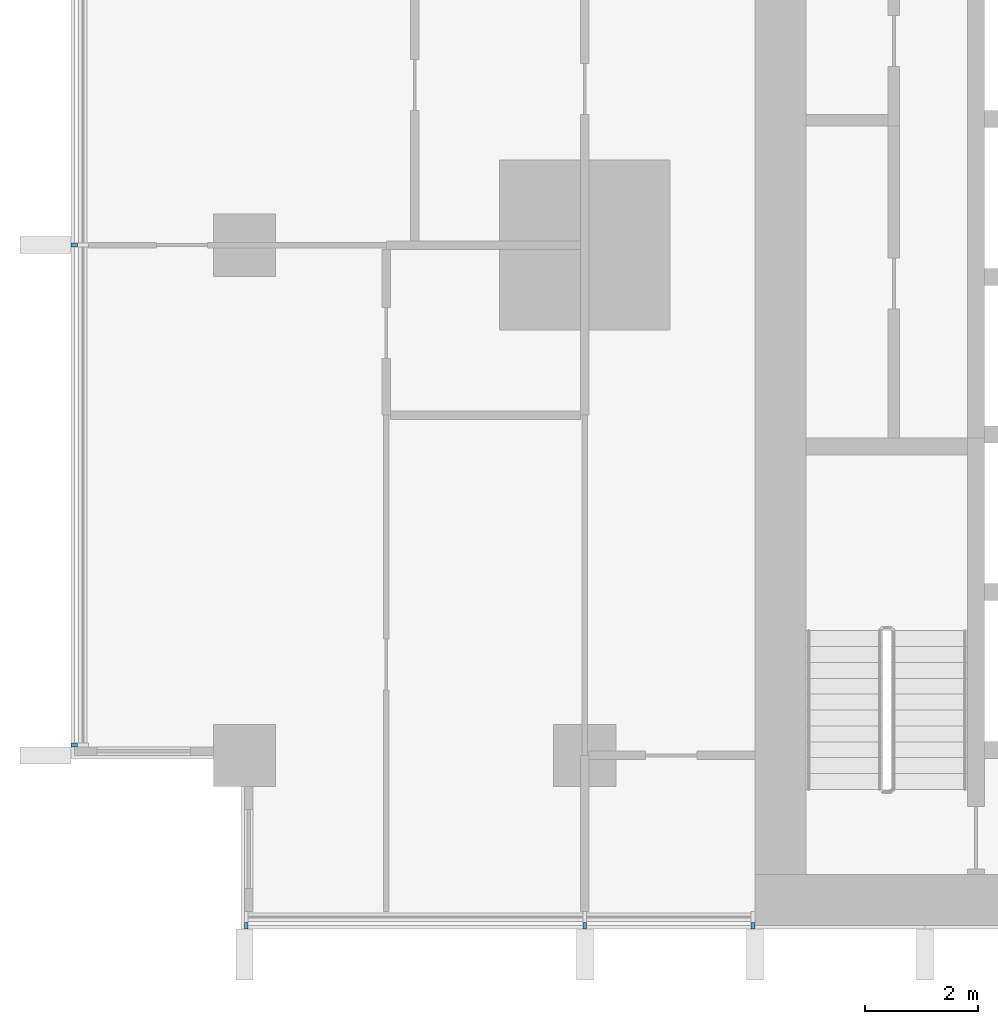
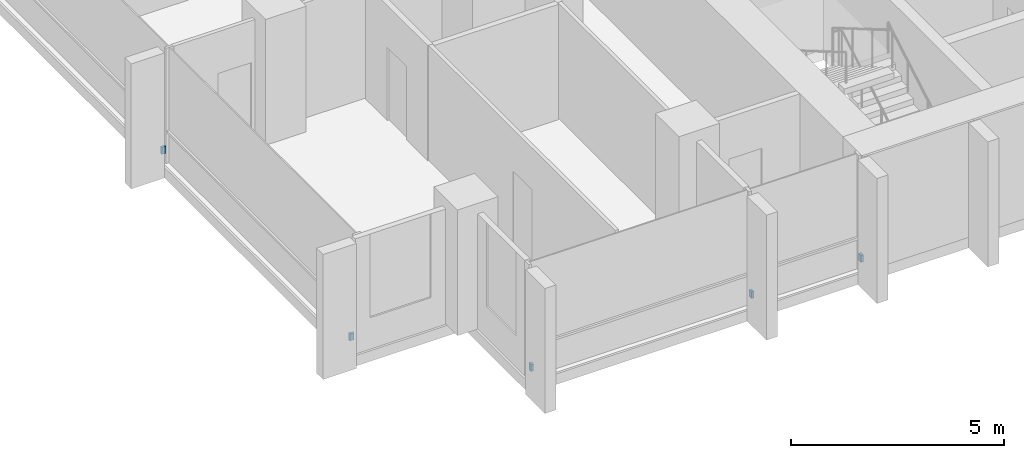
# One storey, part 14 of 18: 5 discrete accessories.
"""IFC4 building model written with IfcOpenShell, lengths in metres."""

from ifc_helpers import new_model, si_unit, direction, frame, origin, origin_2d, place, context, subcontext, project, spatial, rectangle, extrude, material, type_object, element, save


model = new_model("IFC4")

# Units and contexts
model_context = context("Model", 3, precision=1e-05, world=origin(), true_north=direction((0.0, 1.0)))
body_context = subcontext(model_context, "Body", "Model", "MODEL_VIEW")
ifc_project = project(units=[si_unit("LENGTHUNIT", "METRE"), si_unit("AREAUNIT", "SQUARE_METRE"), si_unit("VOLUMEUNIT", "CUBIC_METRE"), si_unit("PLANEANGLEUNIT", "RADIAN"), si_unit("MASSUNIT", "GRAM", prefix="KILO")], contexts=[model_context])

# Site, building, storey
site_placement = place(None, origin())
site = spatial("IfcSite", under=ifc_project, at=site_placement, CompositionType="ELEMENT")
building_placement = place(site_placement, origin())
building = spatial("IfcBuilding", under=site, at=building_placement, Name="Finial Court Residences", CompositionType="ELEMENT")
storey_placement = place(building_placement, frame((0.0, 0.0, 46.89990234375)))
storey = spatial("IfcBuildingStorey", under=building, at=storey_placement, Name="L10", CompositionType="ELEMENT", Elevation=46.89990234375)

# Discrete accessories
ifc_material = material(Name="Stainless steel 316", Category="steel")
discrete_accessory_type = type_object("IfcDiscreteAccessoryType", Name="Fin bracket, stainless steel 65 x 110 x 200", PredefinedType="BRACKET", material=ifc_material)
for number, where, z_axis, x_axis, name in (
    (1, (-22.467529296875, -25.5048828125, 0.30029296875), (0.0, 0.0, 1.0), (1.0, 0.0, 0.0), "E-L10-FIN-S17-BRK"),
    (2, (-16.5, -25.5048828125, 0.30029296875), (0.0, 0.0, 1.0), (1.0, 0.0, 0.0), "E-L10-FIN-S18-BRK"),
    (3, (-13.532470703125, -25.5048828125, 0.30029296875), (0.0, 0.0, 1.0), (1.0, 0.0, 0.0), "E-L10-FIN-S19-BRK"),
):
    element("IfcDiscreteAccessory", number, at=place(storey_placement, frame(where, z_axis=z_axis, x_axis=x_axis)), inside=storey, type_object=discrete_accessory_type, Name=name, PredefinedType="BRACKET", context=body_context, shape_type="SweptSolid", body=[
        extrude(rectangle(XDim=0.06494140625, YDim=0.110107421875, at=origin_2d()), origin(), (0.0, 0.0, 1.0), 0.199951171875),
    ])
for number, where, z_axis, x_axis, name in (
    (4, (-25.5048828125, -22.3173828125, 0.30029296875), (0.0, 0.0, 1.0), (1.0, 0.0, 0.0), "E-L10-FIN-W27-BRK"),
    (5, (-25.5048828125, -13.5, 0.30029296875), (0.0, 0.0, 1.0), (1.0, 0.0, 0.0), "E-L10-FIN-W28-BRK"),
):
    element("IfcDiscreteAccessory", number, at=place(storey_placement, frame(where, z_axis=z_axis, x_axis=x_axis)), inside=storey, type_object=discrete_accessory_type, Name=name, PredefinedType="BRACKET", context=body_context, shape_type="SweptSolid", body=[
        extrude(rectangle(XDim=0.110107421875, YDim=0.06494140625, at=origin_2d()), origin(), (0.0, 0.0, 1.0), 0.199951171875),
    ])

save(model, "model.ifc")
